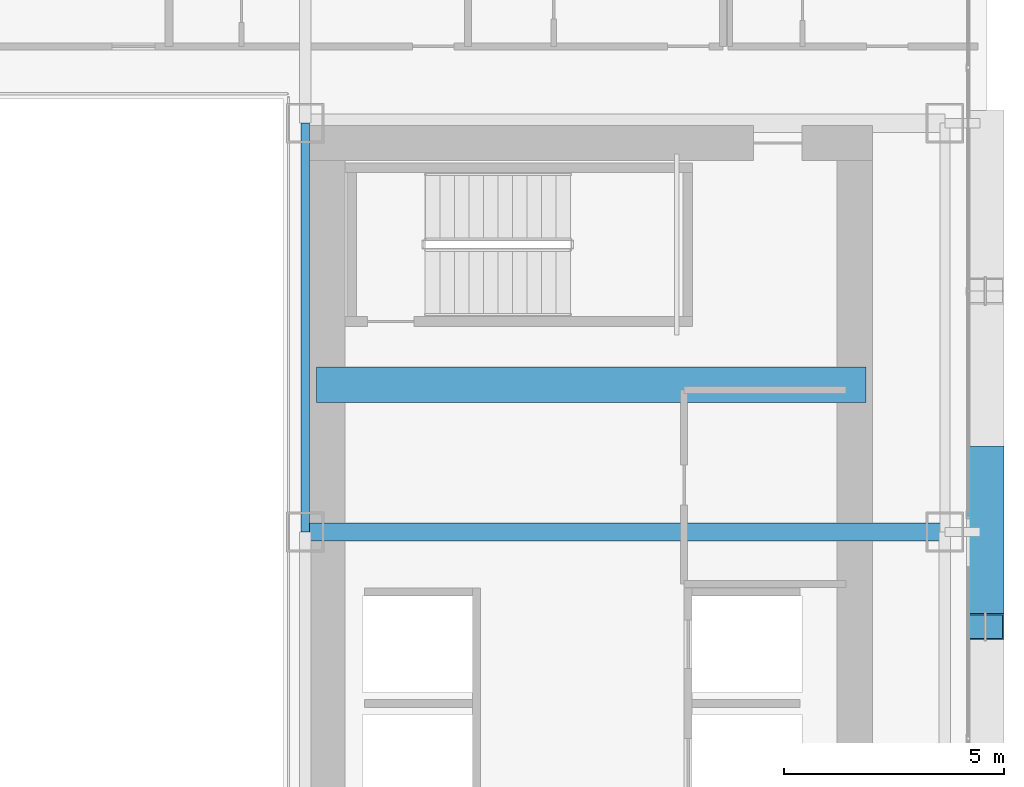
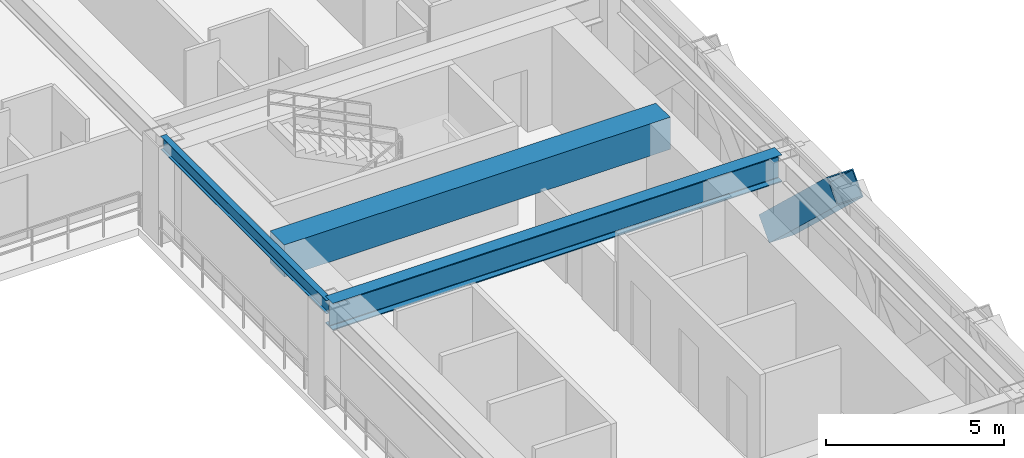
# One storey, part 14 of 35: 3 beams, 1 member.
"""IFC4 building model written with IfcOpenShell, lengths in metres."""

import ifcopenshell
import ifcopenshell.guid

model = None  # the IFC model being written
_history = None  # IfcOwnerHistory: only IFC2X3 demands one
_inside = {}  # id of a spatial element -> (the spatial element, [elements in it])
_under = {}  # id of a project, library or spatial element -> (it, [spatial elements below it])
_declared = {}  # id of a project -> (the project, [libraries it declares])
_typed = {}  # id of a type object -> (the type object, [elements of that type])
_made_of = {}  # id of a material, layer set ... -> (it, [elements and type objects made of it])


def new_model(schema):
    """Start an empty IFC model of exactly this schema.

    Asked for "IFC4X3", IfcOpenShell would pick the latest addendum, in which some entities
    have other attributes; the version numbers below select the first issue.
    IFC2X3 requires an IfcOwnerHistory on every rooted entity: one is made here for all.
    """
    global model, _history
    if schema == "IFC4X3":
        model = ifcopenshell.file(schema_version=(4, 3, 0, 0))
    else:
        model = ifcopenshell.file(schema=schema)
    _inside.clear()
    _under.clear()
    _declared.clear()
    _typed.clear()
    _made_of.clear()
    _history = None
    if model.schema == "IFC2X3":
        org = make("IfcOrganization", Name="unknown")
        user = make(
            "IfcPersonAndOrganization",
            ThePerson=make("IfcPerson", FamilyName="unknown"),
            TheOrganization=org,
        )
        app = make(
            "IfcApplication",
            ApplicationDeveloper=org,
            Version="unknown",
            ApplicationFullName="unknown",
            ApplicationIdentifier="unknown",
        )
        _history = make(
            "IfcOwnerHistory",
            OwningUser=user,
            OwningApplication=app,
            ChangeAction="ADDED",
            CreationDate=0,
        )
    return model


def make(cls, **values):
    """One entity of the class cls with the attributes given. An attribute that is None is left unset."""
    return model.create_entity(
        cls, **{name: value for name, value in values.items() if value is not None}
    )


def rooted(cls, **values):
    """An entity with a GlobalId (a new one), such as an element, a storey or a relation."""
    return make(cls, GlobalId=ifcopenshell.guid.new(), OwnerHistory=_history, **values)


def si_unit(unit_type, name, prefix=None):
    """IfcSIUnit, for example si_unit("LENGTHUNIT", "METRE", prefix="MILLI")."""
    return make("IfcSIUnit", UnitType=unit_type, Prefix=prefix, Name=name)


def assignment(units):
    """IfcUnitAssignment: the units of a project."""
    return None if units is None else make("IfcUnitAssignment", Units=units)


def point(xyz):
    """IfcCartesianPoint."""
    return None if xyz is None else make("IfcCartesianPoint", Coordinates=xyz)


def direction(xyz):
    """IfcDirection."""
    return None if xyz is None else make("IfcDirection", DirectionRatios=xyz)


def frame(location, z_axis=None, x_axis=None):
    """IfcAxis2Placement3D, a coordinate frame: its origin and axes. An axis left out is left unset."""
    return make(
        "IfcAxis2Placement3D",
        Location=point(location),
        Axis=direction(z_axis),
        RefDirection=direction(x_axis),
    )


def frame_2d(location, x_axis=None):
    """IfcAxis2Placement2D, a coordinate frame in the plane: its origin and x axis."""
    return make(
        "IfcAxis2Placement2D", Location=point(location), RefDirection=direction(x_axis)
    )


def origin():
    """The frame at (0, 0, 0) with its axes left unset."""
    return frame((0.0, 0.0, 0.0))


def origin_2d():
    """The frame at (0, 0) in the plane with its x axis left unset."""
    return frame_2d((0.0, 0.0))


def place(relative_to, where):
    """IfcLocalPlacement: puts the frame where relative to a parent placement (None: the world)."""
    return make(
        "IfcLocalPlacement", PlacementRelTo=relative_to, RelativePlacement=where
    )


def context(
    kind, dimensions, precision=None, world=None, true_north=None, identifier=None
):
    """IfcGeometricRepresentationContext, for example the 3D "Model" context."""
    return make(
        "IfcGeometricRepresentationContext",
        ContextIdentifier=identifier,
        ContextType=kind,
        CoordinateSpaceDimension=dimensions,
        Precision=precision,
        WorldCoordinateSystem=world,
        TrueNorth=true_north,
    )


def subcontext(parent, identifier, kind, view, scale=None):
    """IfcGeometricRepresentationSubContext, for example "Body" below "Model"."""
    return make(
        "IfcGeometricRepresentationSubContext",
        ContextIdentifier=identifier,
        ContextType=kind,
        ParentContext=parent,
        TargetScale=scale,
        TargetView=view,
    )


def project(units=None, contexts=None):
    """IfcProject with its units and contexts."""
    return rooted(
        "IfcProject",
        Name="project",
        RepresentationContexts=contexts,
        UnitsInContext=assignment(units),
    )


def spatial(cls, under=None, at=None, **own):
    """A site, building, storey or space (cls), placed at a placement, below another one or the project."""
    s = rooted(cls, ObjectPlacement=at, **own)
    if under is not None:
        _under.setdefault(under.id(), (under, []))[1].append(s)
    return s


def profile(cls, at=None, kind="AREA", **sizes):
    """A parametric profile (cls). Its sizes go by their IFC names, for example OverallWidth=200.0."""
    return make(cls, ProfileType=kind, Position=at, **sizes)


def rectangle(**sizes):
    """IfcRectangleProfileDef."""
    return profile("IfcRectangleProfileDef", **sizes)


def hollow_rectangle(**sizes):
    """IfcRectangleHollowProfileDef."""
    return profile("IfcRectangleHollowProfileDef", **sizes)


def i_section(**sizes):
    """IfcIShapeProfileDef."""
    return profile("IfcIShapeProfileDef", **sizes)


def extrude(swept, where, along, depth):
    """IfcExtrudedAreaSolid: the profile swept, set in the frame where, extruded along a direction by depth."""
    return make(
        "IfcExtrudedAreaSolid",
        SweptArea=swept,
        Position=where,
        ExtrudedDirection=direction(along),
        Depth=depth,
    )


def shape(context_of_items, identifier, shape_type, items):
    """IfcShapeRepresentation: the items that make up one representation, for example the "Body"."""
    return make(
        "IfcShapeRepresentation",
        ContextOfItems=context_of_items,
        RepresentationIdentifier=identifier,
        RepresentationType=shape_type,
        Items=items,
    )


def source(mapping_origin, context_of_items, identifier, shape_type, items):
    """IfcRepresentationMap: a shape defined once, which mapped items show again and again."""
    return make(
        "IfcRepresentationMap",
        MappingOrigin=mapping_origin,
        MappedRepresentation=shape(context_of_items, identifier, shape_type, items),
    )


def transform(
    local_origin,
    x_axis=None,
    y_axis=None,
    z_axis=None,
    scale=None,
    scale2=None,
    scale3=None,
    uniform=True,
):
    """IfcCartesianTransformationOperator3D, or its non-uniform kind. x_axis, y_axis, z_axis: its Axis1, 2, 3."""
    if uniform:
        return make(
            "IfcCartesianTransformationOperator3D",
            Axis1=direction(x_axis),
            Axis2=direction(y_axis),
            LocalOrigin=point(local_origin),
            Scale=scale,
            Axis3=direction(z_axis),
        )
    return make(
        "IfcCartesianTransformationOperator3DnonUniform",
        Axis1=direction(x_axis),
        Axis2=direction(y_axis),
        LocalOrigin=point(local_origin),
        Scale=scale,
        Axis3=direction(z_axis),
        Scale2=scale2,
        Scale3=scale3,
    )


def mapped(mapping_source, mapping_target):
    """IfcMappedItem: shows the shape of a source again, moved by a transform."""
    return make(
        "IfcMappedItem", MappingSource=mapping_source, MappingTarget=mapping_target
    )


def material(Name=None, Category=None):
    """IfcMaterial."""
    return make("IfcMaterial", Name=Name, Category=Category)


def material_profile(
    of_material, cross_section, Name=None, Category=None, Priority=None
):
    """IfcMaterialProfile: a cross section and its material."""
    return make(
        "IfcMaterialProfile",
        Name=Name,
        Material=of_material,
        Profile=cross_section,
        Priority=Priority,
        Category=Category,
    )


def profile_set(profiles, Name=None, composite=None):
    """IfcMaterialProfileSet."""
    return make(
        "IfcMaterialProfileSet",
        Name=Name,
        MaterialProfiles=profiles,
        CompositeProfile=composite,
    )


def made_of(thing, what):
    """Note that an element or type object is made of a material, layer set ...; save() writes the relation."""
    if what is not None:
        _made_of.setdefault(what.id(), (what, []))[1].append(thing)
    return thing


def type_object(cls, material=None, **own):
    """A type object (cls), such as IfcWallType, which elements share."""
    return made_of(rooted(cls, **own), material)


def element(
    cls,
    number,
    at=None,
    inside=None,
    cuts=None,
    type_object=None,
    material=None,
    context=None,
    identifier="Body",
    shape_type=None,
    held_by="IfcProductDefinitionShape",
    body=None,
    shapes=None,
    **own,
):
    """One element of the class cls, such as IfcWall. Its Tag is "e" and its number.

    at: its placement. inside: the storey or other place that contains it. cuts: it is an
    opening in that element (IfcRelVoidsElement). A single representation is given by context,
    identifier, shape_type and body (its items); several are given by shapes. held_by: the class
    of the entity that holds the representations. save() writes the other relations.
    """
    e = rooted(cls, Tag="e%d" % number, ObjectPlacement=at, **own)
    if body is not None:
        shapes = [shape(context, identifier, shape_type, body)]
    if shapes is not None:
        e.Representation = make(held_by, Representations=shapes)
    if inside is not None:
        _inside.setdefault(inside.id(), (inside, []))[1].append(e)
    if cuts is not None:
        rooted(
            "IfcRelVoidsElement", RelatingBuildingElement=cuts, RelatedOpeningElement=e
        )
    if type_object is not None:
        _typed.setdefault(type_object.id(), (type_object, []))[1].append(e)
    return made_of(e, material)


def aggregate(whole, parts):
    """IfcRelAggregates: a whole, such as a stair, and the parts it consists of."""
    return rooted("IfcRelAggregates", RelatingObject=whole, RelatedObjects=parts)


def save(model, path):
    """Write the relations noted so far, then the file.

    IfcRelAggregates (storeys below a building ...), IfcRelContainedInSpatialStructure (elements
    in a storey), IfcRelDefinesByType, IfcRelAssociatesMaterial and IfcRelDeclares: one each for
    every whole, place, type object, material and project.
    """
    for whole, parts in _under.values():
        aggregate(whole, parts)
    for where, things in _inside.values():
        rooted(
            "IfcRelContainedInSpatialStructure",
            RelatedElements=things,
            RelatingStructure=where,
        )
    for kind, things in _typed.values():
        rooted("IfcRelDefinesByType", RelatedObjects=things, RelatingType=kind)
    for what, things in _made_of.values():
        rooted("IfcRelAssociatesMaterial", RelatedObjects=things, RelatingMaterial=what)
    for by, libraries in _declared.values():
        rooted("IfcRelDeclares", RelatingContext=by, RelatedDefinitions=libraries)
    model.write(path)


model = new_model("IFC4")

# Units and contexts
model_context = context("Model", 3, precision=1e-05, world=origin(), true_north=direction((0.0, 1.0)))
body_context = subcontext(model_context, "Body", "Model", "MODEL_VIEW")
ifc_project = project(units=[si_unit("LENGTHUNIT", "METRE"), si_unit("AREAUNIT", "SQUARE_METRE"), si_unit("VOLUMEUNIT", "CUBIC_METRE"), si_unit("PLANEANGLEUNIT", "RADIAN"), si_unit("MASSUNIT", "GRAM", prefix="KILO")], contexts=[model_context])

# Site, building, storey
site_placement = place(None, origin())
site = spatial("IfcSite", under=ifc_project, at=site_placement, CompositionType="ELEMENT")
building_placement = place(site_placement, origin())
building = spatial("IfcBuilding", under=site, at=building_placement, Name="Ocotamira Hotel", CompositionType="ELEMENT")
storey_placement = place(building_placement, frame((0.0, 0.0, 56.39990234375)))
storey = spatial("IfcBuildingStorey", under=building, at=storey_placement, Name="L13", CompositionType="ELEMENT", Elevation=56.39990234375)

# Beams
ifc_material_1 = material(Name="Concrete C60/75", Category="concrete")
ifc_material_profile_1 = material_profile(ifc_material_1, rectangle(XDim=0.800048828125, YDim=1.10009765625, at=origin_2d()), Name="RC800X1100")
ifc_profile_set_1 = profile_set([ifc_material_profile_1], Name="Concrete C60/75")
beam_type_1 = type_object("IfcBeamType", Name="BM-LINK-RC800", PredefinedType="LINTEL", material=ifc_profile_set_1)
shared_shape_1 = source(origin(), body_context, "Body", "SweptSolid", [
    extrude(rectangle(XDim=0.800048828125, YDim=1.10009765625, at=origin_2d()), origin(), (0.0, 0.0, 1.0), 12.5),
])
beam_1_placement = place(storey_placement, frame((40.75, 31.5, 2.800048828125), z_axis=(1.0, 0.0, 0.0), x_axis=(0.0, 1.0, 0.0)))
element("IfcBeam", 1, at=beam_1_placement, inside=storey, type_object=beam_type_1, Name="L13 East Core Coupling Beam", PredefinedType="LINTEL", context=body_context, shape_type="MappedRepresentation", body=[
    mapped(shared_shape_1, transform((0.0, 0.0, 0.0), scale=1.0)),
])
ifc_material_2 = material(Name="Steel ASTM A992 Grade 50", Category="steel")
ifc_material_profile_2 = material_profile(ifc_material_2, i_section(OverallWidth=0.41796875, OverallDepth=0.927001953125, WebThickness=0.019287109375, FlangeThickness=0.031982421875, FilletRadius=0.02392578125, at=origin_2d()), Name="W36X231")
ifc_profile_set_2 = profile_set([ifc_material_profile_2], Name="Steel ASTM A992 Grade 50")
beam_type_2 = type_object("IfcBeamType", Name="BM-GIRD-W36X231", PredefinedType="BEAM", material=ifc_profile_set_2)
shared_shape_2 = source(origin(), body_context, "Body", "SweptSolid", [
    extrude(i_section(OverallWidth=0.41796875, OverallDepth=0.927001953125, WebThickness=0.019287109375, FlangeThickness=0.031982421875, FilletRadius=0.02392578125, at=origin_2d()), origin(), (0.0, 0.0, 1.0), 14.550048828125),
])
beam_2_placement = place(storey_placement, frame((40.5, 28.14990234375, 2.88671875), z_axis=(1.0, 0.0, 0.0), x_axis=(0.0, 1.0, 0.0)))
element("IfcBeam", 2, at=beam_2_placement, inside=storey, type_object=beam_type_2, Name="L13 Girder Y28.15 X40.5-55.05", PredefinedType="BEAM", context=body_context, shape_type="MappedRepresentation", body=[
    mapped(shared_shape_2, transform((0.0, 0.0, 0.0), scale=1.0)),
])
ifc_material_profile_3 = material_profile(ifc_material_2, i_section(OverallWidth=0.18994140625, OverallDepth=0.45703125, WebThickness=0.009033203125, FlangeThickness=0.014404296875, FilletRadius=0.010009765625, at=origin_2d()), Name="W18X50")
ifc_profile_set_3 = profile_set([ifc_material_profile_3], Name="Steel ASTM A992 Grade 50")
beam_type_3 = type_object("IfcBeamType", Name="BM-SEC-W18X50", PredefinedType="JOIST", material=ifc_profile_set_3)
shared_shape_3 = source(origin(), body_context, "Body", "SweptSolid", [
    extrude(i_section(OverallWidth=0.18994140625, OverallDepth=0.45703125, WebThickness=0.009033203125, FlangeThickness=0.014404296875, FilletRadius=0.010009765625, at=origin_2d()), origin(), (0.0, 0.0, 1.0), 9.300048828125),
])
beam_3_placement = place(storey_placement, frame((40.5, 28.14990234375, 3.12158203125), z_axis=(0.0, 1.0, 0.0), x_axis=(-1.0, 0.0, 0.0)))
element("IfcBeam", 3, at=beam_3_placement, inside=storey, type_object=beam_type_3, Name="L13 Beam X40.5 Y28.15-37.45", PredefinedType="JOIST", context=body_context, shape_type="MappedRepresentation", body=[
    mapped(shared_shape_3, transform((0.0, 0.0, 0.0), scale=1.0)),
])

# Member
ifc_material_3 = material(Name="Pale-metal coated steel ASTM A913 Grade 65", Category="steel")
ifc_material_profile_4 = material_profile(ifc_material_3, hollow_rectangle(XDim=0.85009765625, YDim=0.85009765625, WallThickness=0.035888671875, at=origin_2d()), Name="BOX850X850X36")
ifc_profile_set_4 = profile_set([ifc_material_profile_4], Name="Pale-metal coated steel ASTM A913 Grade 65")
member_type = type_object("IfcMemberType", Name="MEM-EXO-BOX850", PredefinedType="BRACE", material=ifc_profile_set_4)
shared_shape_4 = source(origin(), body_context, "Body", "SweptSolid", [
    extrude(hollow_rectangle(XDim=0.85009765625, YDim=0.85009765625, WallThickness=0.035888671875, at=origin_2d()), origin(), (0.0, 0.0, 1.0), 5.24658203125),
])
member_placement = place(storey_placement, frame((55.969970703125, 29.816650390625, -0.5), z_axis=(0.0, -0.727442733726, 0.686168397078), x_axis=(1.0, 0.0, 0.0)))
element("IfcMember", 4, at=member_placement, inside=storey, type_object=member_type, Name="L13 Exoskeleton Diagrid E1.2", PredefinedType="BRACE", context=body_context, shape_type="MappedRepresentation", body=[
    mapped(shared_shape_4, transform((0.0, 0.0, 0.0), scale=1.0)),
])

save(model, "model.ifc")
